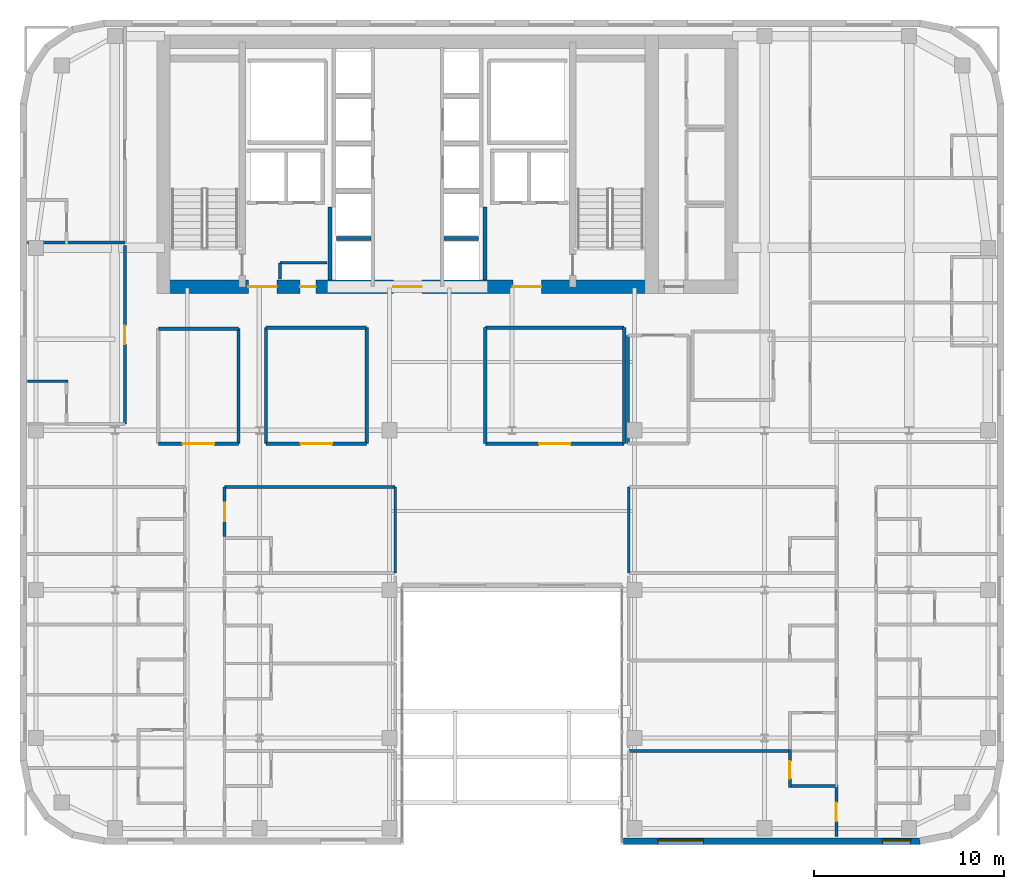
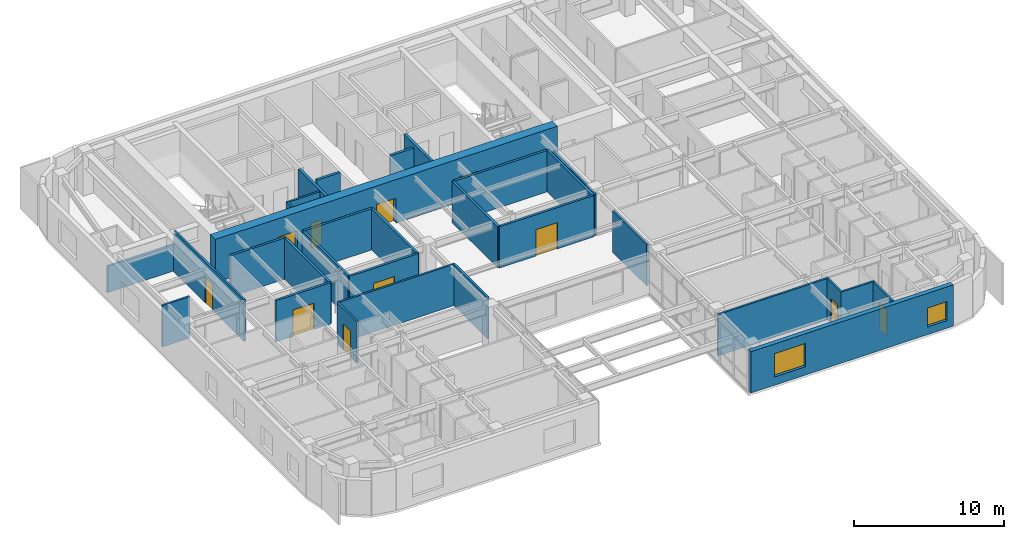
# One storey, part 9 of 15: 31 walls, 11 doors, 2 windows, 13 openings.
"""IFC4 building model written with IfcOpenShell, lengths in metres."""

import ifcopenshell
import ifcopenshell.guid

model = None  # the IFC model being written
_history = None  # IfcOwnerHistory: only IFC2X3 demands one
_inside = {}  # id of a spatial element -> (the spatial element, [elements in it])
_under = {}  # id of a project, library or spatial element -> (it, [spatial elements below it])
_declared = {}  # id of a project -> (the project, [libraries it declares])
_typed = {}  # id of a type object -> (the type object, [elements of that type])
_made_of = {}  # id of a material, layer set ... -> (it, [elements and type objects made of it])


def new_model(schema):
    """Start an empty IFC model of exactly this schema.

    Asked for "IFC4X3", IfcOpenShell would pick the latest addendum, in which some entities
    have other attributes; the version numbers below select the first issue.
    IFC2X3 requires an IfcOwnerHistory on every rooted entity: one is made here for all.
    """
    global model, _history
    if schema == "IFC4X3":
        model = ifcopenshell.file(schema_version=(4, 3, 0, 0))
    else:
        model = ifcopenshell.file(schema=schema)
    _inside.clear()
    _under.clear()
    _declared.clear()
    _typed.clear()
    _made_of.clear()
    _history = None
    if model.schema == "IFC2X3":
        org = make("IfcOrganization", Name="unknown")
        user = make(
            "IfcPersonAndOrganization",
            ThePerson=make("IfcPerson", FamilyName="unknown"),
            TheOrganization=org,
        )
        app = make(
            "IfcApplication",
            ApplicationDeveloper=org,
            Version="unknown",
            ApplicationFullName="unknown",
            ApplicationIdentifier="unknown",
        )
        _history = make(
            "IfcOwnerHistory",
            OwningUser=user,
            OwningApplication=app,
            ChangeAction="ADDED",
            CreationDate=0,
        )
    return model


def make(cls, **values):
    """One entity of the class cls with the attributes given. An attribute that is None is left unset."""
    return model.create_entity(
        cls, **{name: value for name, value in values.items() if value is not None}
    )


def rooted(cls, **values):
    """An entity with a GlobalId (a new one), such as an element, a storey or a relation."""
    return make(cls, GlobalId=ifcopenshell.guid.new(), OwnerHistory=_history, **values)


def si_unit(unit_type, name, prefix=None):
    """IfcSIUnit, for example si_unit("LENGTHUNIT", "METRE", prefix="MILLI")."""
    return make("IfcSIUnit", UnitType=unit_type, Prefix=prefix, Name=name)


def assignment(units):
    """IfcUnitAssignment: the units of a project."""
    return None if units is None else make("IfcUnitAssignment", Units=units)


def point(xyz):
    """IfcCartesianPoint."""
    return None if xyz is None else make("IfcCartesianPoint", Coordinates=xyz)


def direction(xyz):
    """IfcDirection."""
    return None if xyz is None else make("IfcDirection", DirectionRatios=xyz)


def frame(location, z_axis=None, x_axis=None):
    """IfcAxis2Placement3D, a coordinate frame: its origin and axes. An axis left out is left unset."""
    return make(
        "IfcAxis2Placement3D",
        Location=point(location),
        Axis=direction(z_axis),
        RefDirection=direction(x_axis),
    )


def frame_2d(location, x_axis=None):
    """IfcAxis2Placement2D, a coordinate frame in the plane: its origin and x axis."""
    return make(
        "IfcAxis2Placement2D", Location=point(location), RefDirection=direction(x_axis)
    )


def origin():
    """The frame at (0, 0, 0) with its axes left unset."""
    return frame((0.0, 0.0, 0.0))


def place(relative_to, where):
    """IfcLocalPlacement: puts the frame where relative to a parent placement (None: the world)."""
    return make(
        "IfcLocalPlacement", PlacementRelTo=relative_to, RelativePlacement=where
    )


def context(
    kind, dimensions, precision=None, world=None, true_north=None, identifier=None
):
    """IfcGeometricRepresentationContext, for example the 3D "Model" context."""
    return make(
        "IfcGeometricRepresentationContext",
        ContextIdentifier=identifier,
        ContextType=kind,
        CoordinateSpaceDimension=dimensions,
        Precision=precision,
        WorldCoordinateSystem=world,
        TrueNorth=true_north,
    )


def subcontext(parent, identifier, kind, view, scale=None):
    """IfcGeometricRepresentationSubContext, for example "Body" below "Model"."""
    return make(
        "IfcGeometricRepresentationSubContext",
        ContextIdentifier=identifier,
        ContextType=kind,
        ParentContext=parent,
        TargetScale=scale,
        TargetView=view,
    )


def project(units=None, contexts=None):
    """IfcProject with its units and contexts."""
    return rooted(
        "IfcProject",
        Name="project",
        RepresentationContexts=contexts,
        UnitsInContext=assignment(units),
    )


def spatial(cls, under=None, at=None, **own):
    """A site, building, storey or space (cls), placed at a placement, below another one or the project."""
    s = rooted(cls, ObjectPlacement=at, **own)
    if under is not None:
        _under.setdefault(under.id(), (under, []))[1].append(s)
    return s


def profile(cls, at=None, kind="AREA", **sizes):
    """A parametric profile (cls). Its sizes go by their IFC names, for example OverallWidth=200.0."""
    return make(cls, ProfileType=kind, Position=at, **sizes)


def rectangle(**sizes):
    """IfcRectangleProfileDef."""
    return profile("IfcRectangleProfileDef", **sizes)


def extrude(swept, where, along, depth):
    """IfcExtrudedAreaSolid: the profile swept, set in the frame where, extruded along a direction by depth."""
    return make(
        "IfcExtrudedAreaSolid",
        SweptArea=swept,
        Position=where,
        ExtrudedDirection=direction(along),
        Depth=depth,
    )


def shape(context_of_items, identifier, shape_type, items):
    """IfcShapeRepresentation: the items that make up one representation, for example the "Body"."""
    return make(
        "IfcShapeRepresentation",
        ContextOfItems=context_of_items,
        RepresentationIdentifier=identifier,
        RepresentationType=shape_type,
        Items=items,
    )


def source(mapping_origin, context_of_items, identifier, shape_type, items):
    """IfcRepresentationMap: a shape defined once, which mapped items show again and again."""
    return make(
        "IfcRepresentationMap",
        MappingOrigin=mapping_origin,
        MappedRepresentation=shape(context_of_items, identifier, shape_type, items),
    )


def transform(
    local_origin,
    x_axis=None,
    y_axis=None,
    z_axis=None,
    scale=None,
    scale2=None,
    scale3=None,
    uniform=True,
):
    """IfcCartesianTransformationOperator3D, or its non-uniform kind. x_axis, y_axis, z_axis: its Axis1, 2, 3."""
    if uniform:
        return make(
            "IfcCartesianTransformationOperator3D",
            Axis1=direction(x_axis),
            Axis2=direction(y_axis),
            LocalOrigin=point(local_origin),
            Scale=scale,
            Axis3=direction(z_axis),
        )
    return make(
        "IfcCartesianTransformationOperator3DnonUniform",
        Axis1=direction(x_axis),
        Axis2=direction(y_axis),
        LocalOrigin=point(local_origin),
        Scale=scale,
        Axis3=direction(z_axis),
        Scale2=scale2,
        Scale3=scale3,
    )


def mapped(mapping_source, mapping_target):
    """IfcMappedItem: shows the shape of a source again, moved by a transform."""
    return make(
        "IfcMappedItem", MappingSource=mapping_source, MappingTarget=mapping_target
    )


def material(Name=None, Category=None):
    """IfcMaterial."""
    return make("IfcMaterial", Name=Name, Category=Category)


def layer(
    of_material, thickness, ventilated=None, Name=None, Category=None, Priority=None
):
    """IfcMaterialLayer: one layer of a wall or slab, of a material (None: an air gap)."""
    return make(
        "IfcMaterialLayer",
        Material=of_material,
        LayerThickness=thickness,
        IsVentilated=ventilated,
        Name=Name,
        Category=Category,
        Priority=Priority,
    )


def layer_set(layers, Name=None):
    """IfcMaterialLayerSet."""
    return make("IfcMaterialLayerSet", MaterialLayers=layers, LayerSetName=Name)


def made_of(thing, what):
    """Note that an element or type object is made of a material, layer set ...; save() writes the relation."""
    if what is not None:
        _made_of.setdefault(what.id(), (what, []))[1].append(thing)
    return thing


def type_object(cls, material=None, **own):
    """A type object (cls), such as IfcWallType, which elements share."""
    return made_of(rooted(cls, **own), material)


def type_shapes(of_type, sources):
    """Give a type object the sources (RepresentationMaps) that its elements show as mapped items."""
    of_type.RepresentationMaps = sources


def element(
    cls,
    number,
    at=None,
    inside=None,
    cuts=None,
    type_object=None,
    material=None,
    context=None,
    identifier="Body",
    shape_type=None,
    held_by="IfcProductDefinitionShape",
    body=None,
    shapes=None,
    **own,
):
    """One element of the class cls, such as IfcWall. Its Tag is "e" and its number.

    at: its placement. inside: the storey or other place that contains it. cuts: it is an
    opening in that element (IfcRelVoidsElement). A single representation is given by context,
    identifier, shape_type and body (its items); several are given by shapes. held_by: the class
    of the entity that holds the representations. save() writes the other relations.
    """
    e = rooted(cls, Tag="e%d" % number, ObjectPlacement=at, **own)
    if body is not None:
        shapes = [shape(context, identifier, shape_type, body)]
    if shapes is not None:
        e.Representation = make(held_by, Representations=shapes)
    if inside is not None:
        _inside.setdefault(inside.id(), (inside, []))[1].append(e)
    if cuts is not None:
        rooted(
            "IfcRelVoidsElement", RelatingBuildingElement=cuts, RelatedOpeningElement=e
        )
    if type_object is not None:
        _typed.setdefault(type_object.id(), (type_object, []))[1].append(e)
    return made_of(e, material)


def fill(opening, filler):
    """IfcRelFillsElement: the door or window that sits in an opening."""
    return rooted(
        "IfcRelFillsElement",
        RelatingOpeningElement=opening,
        RelatedBuildingElement=filler,
    )


def aggregate(whole, parts):
    """IfcRelAggregates: a whole, such as a stair, and the parts it consists of."""
    return rooted("IfcRelAggregates", RelatingObject=whole, RelatedObjects=parts)


def save(model, path):
    """Write the relations noted so far, then the file.

    IfcRelAggregates (storeys below a building ...), IfcRelContainedInSpatialStructure (elements
    in a storey), IfcRelDefinesByType, IfcRelAssociatesMaterial and IfcRelDeclares: one each for
    every whole, place, type object, material and project.
    """
    for whole, parts in _under.values():
        aggregate(whole, parts)
    for where, things in _inside.values():
        rooted(
            "IfcRelContainedInSpatialStructure",
            RelatedElements=things,
            RelatingStructure=where,
        )
    for kind, things in _typed.values():
        rooted("IfcRelDefinesByType", RelatedObjects=things, RelatingType=kind)
    for what, things in _made_of.values():
        rooted("IfcRelAssociatesMaterial", RelatedObjects=things, RelatingMaterial=what)
    for by, libraries in _declared.values():
        rooted("IfcRelDeclares", RelatingContext=by, RelatedDefinitions=libraries)
    model.write(path)


model = new_model("IFC4")

# Units and contexts
model_context = context("Model", 3, precision=1e-05, world=origin(), true_north=direction((0.0, 1.0)))
body_context = subcontext(model_context, "Body", "Model", "MODEL_VIEW")
ifc_project = project(units=[si_unit("LENGTHUNIT", "METRE"), si_unit("AREAUNIT", "SQUARE_METRE"), si_unit("VOLUMEUNIT", "CUBIC_METRE"), si_unit("PLANEANGLEUNIT", "RADIAN"), si_unit("MASSUNIT", "GRAM", prefix="KILO")], contexts=[model_context])

# Site, building, storey
site_placement = place(None, origin())
site = spatial("IfcSite", under=ifc_project, at=site_placement, CompositionType="ELEMENT")
building_placement = place(site_placement, origin())
building = spatial("IfcBuilding", under=site, at=building_placement, Name="Tolvann Quenvar Hotel", CompositionType="ELEMENT")
storey_placement = place(building_placement, frame((0.0, 0.0, 164.800048828125)))
storey = spatial("IfcBuildingStorey", under=building, at=storey_placement, Name="L43", CompositionType="ELEMENT", Elevation=164.800048828125)

# Wall, openings, doors
ifc_material_1 = material(Name="Concrete S65 (65 MPa)", Category="concrete")
ifc_layer_1 = layer(ifc_material_1, 0.699951171875)
ifc_layer_set_1 = layer_set([ifc_layer_1], Name="Concrete S65 (65 MPa)")
wall_type_1 = type_object("IfcWallType", Name="WALL_CORE_700", PredefinedType="SHEAR", material=ifc_layer_set_1)
wall_1_placement = place(storey_placement, frame((9.800048828125, 31.949951171875, 0.0), z_axis=(0.0, 0.0, 1.0), x_axis=(1.0, 0.0, 0.0)))
wall_1 = element("IfcWall", 1, at=wall_1_placement, inside=storey, type_object=wall_type_1, Name="Rear Core S Shear Wall (L43)", PredefinedType="SHEAR", context=body_context, shape_type="SweptSolid", body=[
    extrude(rectangle(XDim=26.39990234375, YDim=0.699951171875, at=frame_2d((13.199951171875, 0.0))), origin(), (0.0, 0.0, 1.0), 3.550048828125),
])
opening_1_placement = place(wall_1_placement, frame((6.320068359375, 0.0, 0.0), z_axis=(0.0, 0.0, 1.0), x_axis=(-1.0, 0.0, 0.0)))
opening_1 = element("IfcOpeningElement", 2, at=opening_1_placement, cuts=wall_1, Name="Opening FD-60D", PredefinedType="OPENING", context=body_context, shape_type="SweptSolid", body=[
    extrude(rectangle(XDim=1.5, YDim=2.0400390625, at=frame_2d((0.75, 1.02001953125))), frame((0.0, 0.35986328125, 0.0), z_axis=(0.0, -1.0, 0.0), x_axis=(1.0, 0.0, 0.0)), (0.0, 0.0, 1.0), 0.719970703125),
])
opening_2_placement = place(wall_1_placement, frame((13.949951171875, 0.0, 0.0), z_axis=(0.0, 0.0, 1.0), x_axis=(-1.0, 0.0, 0.0)))
opening_2 = element("IfcOpeningElement", 3, at=opening_2_placement, cuts=wall_1, Name="Opening FD-60D", PredefinedType="OPENING", context=body_context, shape_type="SweptSolid", body=[
    extrude(rectangle(XDim=1.5, YDim=2.0400390625, at=frame_2d((0.75, 1.02001953125))), frame((0.0, 0.35986328125, 0.0), z_axis=(0.0, -1.0, 0.0), x_axis=(1.0, 0.0, 0.0)), (0.0, 0.0, 1.0), 0.719970703125),
])
opening_3_placement = place(wall_1_placement, frame((20.25, 0.0, 0.0), z_axis=(0.0, 0.0, 1.0), x_axis=(-1.0, 0.0, 0.0)))
opening_3 = element("IfcOpeningElement", 4, at=opening_3_placement, cuts=wall_1, Name="Opening FD-60D", PredefinedType="OPENING", context=body_context, shape_type="SweptSolid", body=[
    extrude(rectangle(XDim=1.5, YDim=2.0400390625, at=frame_2d((0.75, 1.02001953125))), frame((0.0, 0.35986328125, 0.0), z_axis=(0.0, -1.0, 0.0), x_axis=(1.0, 0.0, 0.0)), (0.0, 0.0, 1.0), 0.719970703125),
])
opening_4_placement = place(wall_1_placement, frame((8.3701171875, 0.0, 0.0), z_axis=(0.0, 0.0, 1.0), x_axis=(-1.0, 0.0, 0.0)))
opening_4 = element("IfcOpeningElement", 5, at=opening_4_placement, cuts=wall_1, Name="Opening HD-02", PredefinedType="OPENING", context=body_context, shape_type="SweptSolid", body=[
    extrude(rectangle(XDim=0.820068359375, YDim=2.010009765625, at=frame_2d((0.41015625, 1.0048828125))), frame((0.0, 0.35986328125, 0.0), z_axis=(0.0, -1.0, 0.0), x_axis=(1.0, 0.0, 0.0)), (0.0, 0.0, 1.0), 0.719970703125),
])
ifc_material_2 = material(Name="Solid-core American oak acoustic fire door leaf in steel frame", Category="steel")
door_type_1 = type_object("IfcDoorType", Name="DOOR_FIRE_LOBBY_1500", OperationType="NOTDEFINED", PredefinedType="DOOR", material=ifc_material_2)
shared_shape_1 = source(origin(), body_context, "Body", "SweptSolid", [
    extrude(rectangle(XDim=1.5, YDim=2.0400390625, at=frame_2d((0.75, 1.02001953125))), frame((0.0, 0.02490234375, 0.0), z_axis=(0.0, -1.0, 0.0), x_axis=(1.0, 0.0, 0.0)), (0.0, 0.0, 1.0), 0.050048828125),
])
type_shapes(door_type_1, [shared_shape_1])
door_1_placement = place(opening_1_placement, origin())
door_1 = element("IfcDoor", 6, at=door_1_placement, inside=storey, type_object=door_type_1, Name="Core Lobby Fire Door FFW (L43)", OperationType="DOUBLE_DOOR_SINGLE_SWING", OverallHeight=2.0400390625, OverallWidth=1.5, PredefinedType="DOOR", context=body_context, shape_type="MappedRepresentation", body=[
    mapped(shared_shape_1, transform((0.0, 0.0, 0.0), x_axis=(1.0, 0.0, 0.0), y_axis=(0.0, 1.0, 0.0), z_axis=(0.0, 0.0, 1.0), scale=1.0)),
])
fill(opening_1, door_1)
door_2_placement = place(opening_2_placement, origin())
door_2 = element("IfcDoor", 7, at=door_2_placement, inside=storey, type_object=door_type_1, Name="Core Lobby Fire Door CLOB (L43)", OperationType="DOUBLE_DOOR_SINGLE_SWING", OverallHeight=2.0400390625, OverallWidth=1.5, PredefinedType="DOOR", context=body_context, shape_type="MappedRepresentation", body=[
    mapped(shared_shape_1, transform((0.0, 0.0, 0.0), x_axis=(1.0, 0.0, 0.0), y_axis=(0.0, 1.0, 0.0), z_axis=(0.0, 0.0, 1.0), scale=1.0)),
])
fill(opening_2, door_2)
door_3_placement = place(opening_3_placement, origin())
door_3 = element("IfcDoor", 8, at=door_3_placement, inside=storey, type_object=door_type_1, Name="Core Lobby Fire Door FFE (L43)", OperationType="DOUBLE_DOOR_SINGLE_SWING", OverallHeight=2.0400390625, OverallWidth=1.5, PredefinedType="DOOR", context=body_context, shape_type="MappedRepresentation", body=[
    mapped(shared_shape_1, transform((0.0, 0.0, 0.0), x_axis=(1.0, 0.0, 0.0), y_axis=(0.0, 1.0, 0.0), z_axis=(0.0, 0.0, 1.0), scale=1.0)),
])
fill(opening_3, door_3)
ifc_material_3 = material(Name="Pressed galvanised steel fire-rated door set", Category="steel")
door_type_2 = type_object("IfcDoorType", Name="DOOR_STORE_820", OperationType="NOTDEFINED", PredefinedType="DOOR", material=ifc_material_3)
shared_shape_2 = source(origin(), body_context, "Body", "SweptSolid", [
    extrude(rectangle(XDim=0.820068359375, YDim=2.010009765625, at=frame_2d((0.41015625, 1.0048828125))), frame((0.0, 0.02490234375, 0.0), z_axis=(0.0, -1.0, 0.0), x_axis=(1.0, 0.0, 0.0)), (0.0, 0.0, 1.0), 0.050048828125),
])
type_shapes(door_type_2, [shared_shape_2])
door_4_placement = place(opening_4_placement, origin())
door_4 = element("IfcDoor", 9, at=door_4_placement, inside=storey, type_object=door_type_2, Name="Core Linen Store Fire Door (L43)", OperationType="SINGLE_SWING_LEFT", OverallHeight=2.010009765625, OverallWidth=0.820068359375, PredefinedType="DOOR", context=body_context, shape_type="MappedRepresentation", body=[
    mapped(shared_shape_2, transform((0.0, 0.0, 0.0), x_axis=(1.0, 0.0, 0.0), y_axis=(0.0, 1.0, 0.0), z_axis=(0.0, 0.0, 1.0), scale=1.0)),
])
fill(opening_4, door_4)

# Wall, openings, windows
ifc_material_4 = material(Name="Kiln-fired red and buff architectural clay brickwork and terracotta masonry", Category="masonry")
ifc_layer_2 = layer(ifc_material_4, 0.35009765625)
ifc_layer_set_2 = layer_set([ifc_layer_2], Name="Kiln-fired red and buff architectural clay brickwork and terracotta masonry")
wall_type_2 = type_object("IfcWallType", Name="WALL_EXT_BRICK_350", PredefinedType="SOLIDWALL", material=ifc_layer_set_2)
wall_2_placement = place(storey_placement, frame((34.375, 2.77490234375, 0.0), z_axis=(0.0, 0.0, 1.0), x_axis=(1.0, 0.0, 0.0)))
wall_2 = element("IfcWall", 10, at=wall_2_placement, inside=storey, type_object=wall_type_2, Name="Exterior Chicago Brick Wall L43-E08", PredefinedType="SOLIDWALL", context=body_context, shape_type="SweptSolid", body=[
    extrude(rectangle(XDim=15.60791015625, YDim=0.35009765625, at=frame_2d((7.803955078125, 0.0))), origin(), (0.0, 0.0, 1.0), 3.369873046875),
])
opening_5_placement = place(wall_2_placement, frame((1.801025390625, 0.0, 0.679931640625)))
opening_5 = element("IfcOpeningElement", 11, at=opening_5_placement, cuts=wall_2, Name="Opening W-01", PredefinedType="OPENING", context=body_context, shape_type="SweptSolid", body=[
    extrude(rectangle(XDim=2.39990234375, YDim=1.89990234375, at=frame_2d((1.199951171875, 0.949951171875))), frame((0.0, 0.18505859375, 0.0), z_axis=(0.0, -1.0, 0.0), x_axis=(1.0, 0.0, 0.0)), (0.0, 0.0, 1.0), 0.3701171875),
])
opening_6_placement = place(wall_2_placement, frame((13.615966796875, 0.0, 0.6201171875)))
opening_6 = element("IfcOpeningElement", 12, at=opening_6_placement, cuts=wall_2, Name="Opening W-08", PredefinedType="OPENING", context=body_context, shape_type="SweptSolid", body=[
    extrude(rectangle(XDim=1.5, YDim=1.550048828125, at=frame_2d((0.75, 0.77490234375))), frame((0.0, 0.18505859375, 0.0), z_axis=(0.0, -1.0, 0.0), x_axis=(1.0, 0.0, 0.0)), (0.0, 0.0, 1.0), 0.3701171875),
])
ifc_material_5 = material(Name="Thermally broken bronze-anodised aluminium frame with double low-E glazing", Category="aluminium")
window_type_1 = type_object("IfcWindowType", Name="WIN_COR_1500x2050", PartitioningType="SINGLE_PANEL", PredefinedType="WINDOW", material=ifc_material_5)
shared_shape_3 = source(origin(), body_context, "Body", "SweptSolid", [
    extrude(rectangle(XDim=1.5, YDim=1.550048828125, at=frame_2d((0.75, 0.77490234375))), frame((0.0, 0.090087890625, 0.0), z_axis=(0.0, -1.0, 0.0), x_axis=(1.0, 0.0, 0.0)), (0.0, 0.0, 1.0), 0.06005859375),
])
type_shapes(window_type_1, [shared_shape_3])
window_1_placement = place(opening_6_placement, origin())
window_1 = element("IfcWindow", 13, at=window_1_placement, inside=storey, type_object=window_type_1, Name="Chicago Window W-08 (EW-L43-E08-WD02)", OverallHeight=1.550048828125, OverallWidth=1.5, PartitioningType="SINGLE_PANEL", PredefinedType="WINDOW", context=body_context, shape_type="MappedRepresentation", body=[
    mapped(shared_shape_3, transform((0.0, 0.0, 0.0), x_axis=(1.0, 0.0, 0.0), y_axis=(0.0, 1.0, 0.0), z_axis=(0.0, 0.0, 1.0), scale=1.0)),
])
fill(opening_6, window_1)
window_type_2 = type_object("IfcWindowType", Name="WIN_CHI_2400x2050", PartitioningType="TRIPLE_PANEL_HORIZONTAL", PredefinedType="WINDOW", material=ifc_material_5)
shared_shape_4 = source(origin(), body_context, "Body", "SweptSolid", [
    extrude(rectangle(XDim=2.39990234375, YDim=1.89990234375, at=frame_2d((1.199951171875, 0.949951171875))), frame((0.0, 0.090087890625, 0.0), z_axis=(0.0, -1.0, 0.0), x_axis=(1.0, 0.0, 0.0)), (0.0, 0.0, 1.0), 0.06005859375),
])
type_shapes(window_type_2, [shared_shape_4])
window_2_placement = place(opening_5_placement, origin())
window_2 = element("IfcWindow", 14, at=window_2_placement, inside=storey, type_object=window_type_2, Name="Chicago Window W-01 (EW-L43-E08-W01)", OverallHeight=1.89990234375, OverallWidth=2.39990234375, PartitioningType="TRIPLE_PANEL_HORIZONTAL", PredefinedType="WINDOW", context=body_context, shape_type="MappedRepresentation", body=[
    mapped(shared_shape_4, transform((0.0, 0.0, 0.0), x_axis=(1.0, 0.0, 0.0), y_axis=(0.0, 1.0, 0.0), z_axis=(0.0, 0.0, 1.0), scale=1.0)),
])
fill(opening_5, window_2)

# Wall, opening, door
ifc_material_6 = material(Name="Acoustic twin-stud fire-rated gypsum plasterboard partition")
ifc_layer_3 = layer(ifc_material_6, 0.179931640625)
ifc_layer_set_3 = layer_set([ifc_layer_3], Name="Acoustic twin-stud fire-rated gypsum plasterboard partition")
wall_type_3 = type_object("IfcWallType", Name="WALL_PART_ACOUSTIC_180", PredefinedType="PARTITIONING", material=ifc_layer_set_3)
wall_3_placement = place(storey_placement, frame((9.8798828125, 23.699951171875, 0.0), z_axis=(0.0, 0.0, 1.0), x_axis=(1.0, 0.0, 0.0)))
wall_3 = element("IfcWall", 15, at=wall_3_placement, inside=storey, type_object=wall_type_3, Name="Interior Partition PT-SPC-L43-MSP-W-S", PredefinedType="PARTITIONING", context=body_context, shape_type="SweptSolid", body=[
    extrude(rectangle(XDim=4.22021484375, YDim=0.179931640625, at=frame_2d((2.110107421875, 0.0))), origin(), (0.0, 0.0, 1.0), 3.369873046875),
])
opening_7_placement = place(wall_3_placement, frame((1.284912109375, 0.0, 0.0)))
opening_7 = element("IfcOpeningElement", 16, at=opening_7_placement, cuts=wall_3, Name="Opening AD-01", PredefinedType="OPENING", context=body_context, shape_type="SweptSolid", body=[
    extrude(rectangle(XDim=1.64990234375, YDim=2.14990234375, at=frame_2d((0.824951171875, 1.074951171875))), frame((0.0, 0.10009765625, 0.0), z_axis=(0.0, -1.0, 0.0), x_axis=(1.0, 0.0, 0.0)), (0.0, 0.0, 1.0), 0.199951171875),
])
door_type_3 = type_object("IfcDoorType", Name="DOOR_SALON_1650", OperationType="NOTDEFINED", PredefinedType="DOOR", material=ifc_material_2)
shared_shape_5 = source(origin(), body_context, "Body", "SweptSolid", [
    extrude(rectangle(XDim=1.64990234375, YDim=2.14990234375, at=frame_2d((0.824951171875, 1.074951171875))), frame((0.0, 0.02490234375, 0.0), z_axis=(0.0, -1.0, 0.0), x_axis=(1.0, 0.0, 0.0)), (0.0, 0.0, 1.0), 0.050048828125),
])
type_shapes(door_type_3, [shared_shape_5])
door_5_placement = place(opening_7_placement, origin())
door_5 = element("IfcDoor", 17, at=door_5_placement, inside=storey, type_object=door_type_3, Name="Interior Door DOOR-SPC-L43-MSP-W", OperationType="DOUBLE_DOOR_SINGLE_SWING", OverallHeight=2.14990234375, OverallWidth=1.64990234375, PredefinedType="DOOR", context=body_context, shape_type="MappedRepresentation", body=[
    mapped(shared_shape_5, transform((0.0, 0.0, 0.0), x_axis=(1.0, 0.0, 0.0), y_axis=(0.0, 1.0, 0.0), z_axis=(0.0, 0.0, 1.0), scale=1.0)),
])
fill(opening_7, door_5)

# Walls
wall_4_placement = place(storey_placement, frame((9.8798828125, 29.75, 0.0), z_axis=(0.0, 0.0, 1.0), x_axis=(1.0, 0.0, 0.0)))
element("IfcWall", 18, at=wall_4_placement, inside=storey, type_object=wall_type_3, Name="Interior Partition PT-SPC-L43-MSP-W-N", PredefinedType="PARTITIONING", context=body_context, shape_type="SweptSolid", body=[
    extrude(rectangle(XDim=4.22021484375, YDim=0.179931640625, at=frame_2d((2.110107421875, 0.0))), origin(), (0.0, 0.0, 1.0), 3.369873046875),
])
wall_5_placement = place(storey_placement, frame((14.10009765625, 23.699951171875, 0.0), z_axis=(0.0, 0.0, 1.0), x_axis=(0.0, 1.0, 0.0)))
element("IfcWall", 19, at=wall_5_placement, inside=storey, type_object=wall_type_3, Name="Interior Partition PT-SPC-L43-MSP-W-E", PredefinedType="PARTITIONING", context=body_context, shape_type="SweptSolid", body=[
    extrude(rectangle(XDim=6.050048828125, YDim=0.179931640625, at=frame_2d((3.02490234375, 0.0))), origin(), (0.0, 0.0, 1.0), 3.369873046875),
])

# Wall, opening, door
wall_6_placement = place(storey_placement, frame((27.10009765625, 23.699951171875, 0.0), z_axis=(0.0, 0.0, 1.0), x_axis=(1.0, 0.0, 0.0)))
wall_6 = element("IfcWall", 20, at=wall_6_placement, inside=storey, type_object=wall_type_3, Name="Interior Partition PT-SPC-L43-MSP-C-S", PredefinedType="PARTITIONING", context=body_context, shape_type="SweptSolid", body=[
    extrude(rectangle(XDim=7.2998046875, YDim=0.179931640625, at=frame_2d((3.64990234375, 0.0))), origin(), (0.0, 0.0, 1.0), 3.369873046875),
])
opening_8_placement = place(wall_6_placement, frame((2.824951171875, 0.0, 0.0)))
opening_8 = element("IfcOpeningElement", 21, at=opening_8_placement, cuts=wall_6, Name="Opening AD-01", PredefinedType="OPENING", context=body_context, shape_type="SweptSolid", body=[
    extrude(rectangle(XDim=1.64990234375, YDim=2.14990234375, at=frame_2d((0.824951171875, 1.074951171875))), frame((0.0, 0.10009765625, 0.0), z_axis=(0.0, -1.0, 0.0), x_axis=(1.0, 0.0, 0.0)), (0.0, 0.0, 1.0), 0.199951171875),
])
door_6_placement = place(opening_8_placement, origin())
door_6 = element("IfcDoor", 22, at=door_6_placement, inside=storey, type_object=door_type_3, Name="Interior Door DOOR-SPC-L43-MSP-C", OperationType="DOUBLE_DOOR_SINGLE_SWING", OverallHeight=2.14990234375, OverallWidth=1.64990234375, PredefinedType="DOOR", context=body_context, shape_type="MappedRepresentation", body=[
    mapped(shared_shape_5, transform((0.0, 0.0, 0.0), x_axis=(1.0, 0.0, 0.0), y_axis=(0.0, 1.0, 0.0), z_axis=(0.0, 0.0, 1.0), scale=1.0)),
])
fill(opening_8, door_6)

# Walls
wall_7_placement = place(storey_placement, frame((27.10009765625, 29.800048828125, 0.0), z_axis=(0.0, 0.0, 1.0), x_axis=(1.0, 0.0, 0.0)))
element("IfcWall", 23, at=wall_7_placement, inside=storey, type_object=wall_type_3, Name="Interior Partition PT-SPC-L43-MSP-C-N", PredefinedType="PARTITIONING", context=body_context, shape_type="SweptSolid", body=[
    extrude(rectangle(XDim=7.2998046875, YDim=0.179931640625, at=frame_2d((3.64990234375, 0.0))), origin(), (0.0, 0.0, 1.0), 3.369873046875),
])
for number, where, z_axis, x_axis, name in (
    (24, (27.10009765625, 23.699951171875, 0.0), (0.0, 0.0, 1.0), (0.0, 1.0, 0.0), "Interior Partition PT-SPC-L43-MSP-C-W"),
    (25, (34.39990234375, 23.699951171875, 0.0), (0.0, 0.0, 1.0), (0.0, 1.0, 0.0), "Interior Partition PT-SPC-L43-MSP-C-E"),
):
    element("IfcWall", number, at=place(storey_placement, frame(where, z_axis=z_axis, x_axis=x_axis)), inside=storey, type_object=wall_type_3, Name=name, PredefinedType="PARTITIONING", context=body_context, shape_type="SweptSolid", body=[
        extrude(rectangle(XDim=6.10009765625, YDim=0.179931640625, at=frame_2d((3.050048828125, 0.0))), origin(), (0.0, 0.0, 1.0), 3.369873046875),
    ])

# Wall, opening, door
wall_8_placement = place(storey_placement, frame((15.550048828125, 23.699951171875, 0.0), z_axis=(0.0, 0.0, 1.0), x_axis=(1.0, 0.0, 0.0)))
wall_8 = element("IfcWall", 26, at=wall_8_placement, inside=storey, type_object=wall_type_3, Name="Interior Partition PT-SPC-L43-MSP-N-S", PredefinedType="PARTITIONING", context=body_context, shape_type="SweptSolid", body=[
    extrude(rectangle(XDim=5.300048828125, YDim=0.179931640625, at=frame_2d((2.64990234375, 0.0))), origin(), (0.0, 0.0, 1.0), 3.369873046875),
])
opening_9_placement = place(wall_8_placement, frame((1.824951171875, 0.0, 0.0)))
opening_9 = element("IfcOpeningElement", 27, at=opening_9_placement, cuts=wall_8, Name="Opening AD-01", PredefinedType="OPENING", context=body_context, shape_type="SweptSolid", body=[
    extrude(rectangle(XDim=1.64990234375, YDim=2.14990234375, at=frame_2d((0.824951171875, 1.074951171875))), frame((0.0, 0.10009765625, 0.0), z_axis=(0.0, -1.0, 0.0), x_axis=(1.0, 0.0, 0.0)), (0.0, 0.0, 1.0), 0.199951171875),
])
door_7_placement = place(opening_9_placement, origin())
door_7 = element("IfcDoor", 28, at=door_7_placement, inside=storey, type_object=door_type_3, Name="Interior Door DOOR-SPC-L43-MSP-N", OperationType="DOUBLE_DOOR_SINGLE_SWING", OverallHeight=2.14990234375, OverallWidth=1.64990234375, PredefinedType="DOOR", context=body_context, shape_type="MappedRepresentation", body=[
    mapped(shared_shape_5, transform((0.0, 0.0, 0.0), x_axis=(1.0, 0.0, 0.0), y_axis=(0.0, 1.0, 0.0), z_axis=(0.0, 0.0, 1.0), scale=1.0)),
])
fill(opening_9, door_7)

# Walls
wall_9_placement = place(storey_placement, frame((15.550048828125, 29.800048828125, 0.0), z_axis=(0.0, 0.0, 1.0), x_axis=(1.0, 0.0, 0.0)))
element("IfcWall", 29, at=wall_9_placement, inside=storey, type_object=wall_type_3, Name="Interior Partition PT-SPC-L43-MSP-N-N", PredefinedType="PARTITIONING", context=body_context, shape_type="SweptSolid", body=[
    extrude(rectangle(XDim=5.300048828125, YDim=0.179931640625, at=frame_2d((2.64990234375, 0.0))), origin(), (0.0, 0.0, 1.0), 3.369873046875),
])
for number, where, z_axis, x_axis, name in (
    (30, (15.550048828125, 23.699951171875, 0.0), (0.0, 0.0, 1.0), (0.0, 1.0, 0.0), "Interior Partition PT-SPC-L43-MSP-N-W"),
    (31, (20.85009765625, 23.699951171875, 0.0), (0.0, 0.0, 1.0), (0.0, 1.0, 0.0), "Interior Partition PT-SPC-L43-MSP-N-E"),
):
    element("IfcWall", number, at=place(storey_placement, frame(where, z_axis=z_axis, x_axis=x_axis)), inside=storey, type_object=wall_type_3, Name=name, PredefinedType="PARTITIONING", context=body_context, shape_type="SweptSolid", body=[
        extrude(rectangle(XDim=6.10009765625, YDim=0.179931640625, at=frame_2d((3.050048828125, 0.0))), origin(), (0.0, 0.0, 1.0), 3.369873046875),
    ])

# Wall, opening, door
ifc_layer_4 = layer(ifc_material_6, 0.14990234375)
ifc_layer_set_4 = layer_set([ifc_layer_4], Name="Acoustic twin-stud fire-rated gypsum plasterboard partition")
wall_type_4 = type_object("IfcWallType", Name="WALL_PART_SUITE_150", PredefinedType="PARTITIONING", material=ifc_layer_set_4)
wall_10_placement = place(storey_placement, frame((43.1298828125, 5.60009765625, 0.0), z_axis=(0.0, 0.0, 1.0), x_axis=(0.0, 1.0, 0.0)))
wall_10 = element("IfcWall", 32, at=wall_10_placement, inside=storey, type_object=wall_type_4, Name="Interior Partition PT-SPC-L43-ENS-EI01-ENT", PredefinedType="PARTITIONING", context=body_context, shape_type="SweptSolid", body=[
    extrude(rectangle(XDim=1.989990234375, YDim=0.14990234375, at=frame_2d((0.9951171875, 0.0))), origin(), (0.0, 0.0, 1.0), 3.369873046875),
])
opening_10_placement = place(wall_10_placement, frame((0.465087890625, 0.0, 0.0)))
opening_10 = element("IfcOpeningElement", 33, at=opening_10_placement, cuts=wall_10, Name="Opening WD-01", PredefinedType="OPENING", context=body_context, shape_type="SweptSolid", body=[
    extrude(rectangle(XDim=0.919921875, YDim=2.010009765625, at=frame_2d((0.4599609375, 1.0048828125))), frame((0.0, 0.0849609375, 0.0), z_axis=(0.0, -1.0, 0.0), x_axis=(1.0, 0.0, 0.0)), (0.0, 0.0, 1.0), 0.169921875),
])
door_type_4 = type_object("IfcDoorType", Name="DOOR_WC_920", OperationType="NOTDEFINED", PredefinedType="DOOR", material=ifc_material_2)
shared_shape_6 = source(origin(), body_context, "Body", "SweptSolid", [
    extrude(rectangle(XDim=0.919921875, YDim=2.010009765625, at=frame_2d((0.4599609375, 1.0048828125))), frame((0.0, 0.02490234375, 0.0), z_axis=(0.0, -1.0, 0.0), x_axis=(1.0, 0.0, 0.0)), (0.0, 0.0, 1.0), 0.050048828125),
])
type_shapes(door_type_4, [shared_shape_6])
door_8_placement = place(opening_10_placement, origin())
door_8 = element("IfcDoor", 34, at=door_8_placement, inside=storey, type_object=door_type_4, Name="Interior Door DOOR-SPC-L43-ENS-EI01", OperationType="SINGLE_SWING_RIGHT", OverallHeight=2.010009765625, OverallWidth=0.919921875, PredefinedType="DOOR", context=body_context, shape_type="MappedRepresentation", body=[
    mapped(shared_shape_6, transform((0.0, 0.0, 0.0), x_axis=(1.0, 0.0, 0.0), y_axis=(0.0, 1.0, 0.0), z_axis=(0.0, 0.0, 1.0), scale=1.0)),
])
fill(opening_10, door_8)

# Walls
wall_11_placement = place(storey_placement, frame((43.06005859375, 5.669921875, 0.0), z_axis=(0.0, 0.0, 1.0), x_axis=(1.0, 0.0, 0.0)))
element("IfcWall", 35, at=wall_11_placement, inside=storey, type_object=wall_type_4, Name="Interior Partition PT-SPC-L43-ENS-EI01-S", PredefinedType="PARTITIONING", context=body_context, shape_type="SweptSolid", body=[
    extrude(rectangle(XDim=2.58984375, YDim=0.14990234375, at=frame_2d((1.294921875, 0.0))), origin(), (0.0, 0.0, 1.0), 3.369873046875),
])
wall_12_placement = place(storey_placement, frame((3.0048828125, 26.97998046875, 0.0), z_axis=(0.0, 0.0, 1.0), x_axis=(1.0, 0.0, 0.0)))
element("IfcWall", 36, at=wall_12_placement, inside=storey, type_object=wall_type_4, Name="Interior Partition PT-SPC-L43-ENS-NW01-N", PredefinedType="PARTITIONING", context=body_context, shape_type="SweptSolid", body=[
    extrude(rectangle(XDim=2.115234375, YDim=0.14990234375, at=frame_2d((1.0576171875, 0.0))), origin(), (0.0, 0.0, 1.0), 3.369873046875),
])
wall_13_placement = place(storey_placement, frame((3.0048828125, 34.280029296875, 0.0), z_axis=(0.0, 0.0, 1.0), x_axis=(1.0, 0.0, 0.0)))
element("IfcWall", 37, at=wall_13_placement, inside=storey, type_object=wall_type_4, Name="Interior Partition PT-SPC-L43-ENS-NW02-S", PredefinedType="PARTITIONING", context=body_context, shape_type="SweptSolid", body=[
    extrude(rectangle(XDim=5.115234375, YDim=0.14990234375, at=frame_2d((2.5576171875, 0.0))), origin(), (0.0, 0.0, 1.0), 2.159912109375),
])
wall_14_placement = place(storey_placement, frame((16.280029296875, 33.219970703125, 0.0), z_axis=(0.0, 0.0, 1.0), x_axis=(1.0, 0.0, 0.0)))
element("IfcWall", 38, at=wall_14_placement, inside=storey, type_object=wall_type_4, Name="Interior Partition PT-SPC-L43-CSW-1-N", PredefinedType="PARTITIONING", context=body_context, shape_type="SweptSolid", body=[
    extrude(rectangle(XDim=2.48486328125, YDim=0.14990234375, at=frame_2d((1.242431640625, 0.0))), origin(), (0.0, 0.0, 1.0), 3.369873046875),
])
wall_15_placement = place(storey_placement, frame((16.280029296875, 32.35498046875, 0.0), z_axis=(0.0, 0.0, 1.0), x_axis=(0.0, 1.0, 0.0)))
element("IfcWall", 39, at=wall_15_placement, inside=storey, type_object=wall_type_4, Name="Interior Partition PT-SPC-L43-CSW-1-W", PredefinedType="PARTITIONING", context=body_context, shape_type="SweptSolid", body=[
    extrude(rectangle(XDim=0.864990234375, YDim=0.14990234375, at=frame_2d((0.4326171875, 0.0))), origin(), (0.0, 0.0, 1.0), 3.369873046875),
])

# Wall, opening, door
wall_16_placement = place(storey_placement, frame((13.3701171875, 18.81005859375, 0.0), z_axis=(0.0, 0.0, 1.0), x_axis=(0.0, 1.0, 0.0)))
wall_16 = element("IfcWall", 40, at=wall_16_placement, inside=storey, type_object=wall_type_4, Name="Interior Partition PT-SPC-L43-RM-WI04-ENT", PredefinedType="PARTITIONING", context=body_context, shape_type="SweptSolid", body=[
    extrude(rectangle(XDim=2.60986328125, YDim=0.14990234375, at=frame_2d((1.304931640625, 0.0))), origin(), (0.0, 0.0, 1.0), 3.369873046875),
])
opening_11_placement = place(wall_16_placement, frame((0.794921875, 0.0, 0.0)))
opening_11 = element("IfcOpeningElement", 41, at=opening_11_placement, cuts=wall_16, Name="Opening SD-01", PredefinedType="OPENING", context=body_context, shape_type="SweptSolid", body=[
    extrude(rectangle(XDim=0.97998046875, YDim=2.1201171875, at=frame_2d((0.489990234375, 1.06005859375))), frame((0.0, 0.0849609375, 0.0), z_axis=(0.0, -1.0, 0.0), x_axis=(1.0, 0.0, 0.0)), (0.0, 0.0, 1.0), 0.169921875),
])
door_type_5 = type_object("IfcDoorType", Name="DOOR_SUITE_980", OperationType="NOTDEFINED", PredefinedType="DOOR", material=ifc_material_2)
shared_shape_7 = source(origin(), body_context, "Body", "SweptSolid", [
    extrude(rectangle(XDim=0.97998046875, YDim=2.1201171875, at=frame_2d((0.489990234375, 1.06005859375))), frame((0.0, 0.02490234375, 0.0), z_axis=(0.0, -1.0, 0.0), x_axis=(1.0, 0.0, 0.0)), (0.0, 0.0, 1.0), 0.050048828125),
])
type_shapes(door_type_5, [shared_shape_7])
door_9_placement = place(opening_11_placement, origin())
door_9 = element("IfcDoor", 42, at=door_9_placement, inside=storey, type_object=door_type_5, Name="Interior Door DOOR-SPC-L43-RM-WI04", OperationType="SINGLE_SWING_LEFT", OverallHeight=2.1201171875, OverallWidth=0.97998046875, PredefinedType="DOOR", context=body_context, shape_type="MappedRepresentation", body=[
    mapped(shared_shape_7, transform((0.0, 0.0, 0.0), x_axis=(1.0, 0.0, 0.0), y_axis=(0.0, 1.0, 0.0), z_axis=(0.0, 0.0, 1.0), scale=1.0)),
])
fill(opening_11, door_9)

# Walls
wall_17_placement = place(storey_placement, frame((22.35009765625, 16.8798828125, 0.0), z_axis=(0.0, 0.0, 1.0), x_axis=(0.0, 1.0, 0.0)))
element("IfcWall", 43, at=wall_17_placement, inside=storey, type_object=wall_type_4, Name="Interior Partition PT-SPC-L43-RM-WI04-E4", PredefinedType="PARTITIONING", context=body_context, shape_type="SweptSolid", body=[
    extrude(rectangle(XDim=4.5400390625, YDim=0.14990234375, at=frame_2d((2.27001953125, 0.0))), origin(), (0.0, 0.0, 1.0), 3.369873046875),
])
wall_18_placement = place(storey_placement, frame((13.3701171875, 21.419921875, 0.0), z_axis=(0.0, 0.0, 1.0), x_axis=(1.0, 0.0, 0.0)))
element("IfcWall", 44, at=wall_18_placement, inside=storey, type_object=wall_type_4, Name="Interior Partition PT-SPC-L43-RM-WI04-E5", PredefinedType="PARTITIONING", context=body_context, shape_type="SweptSolid", body=[
    extrude(rectangle(XDim=8.97998046875, YDim=0.14990234375, at=frame_2d((4.489990234375, 0.0))), origin(), (0.0, 0.0, 1.0), 3.369873046875),
])

# Wall, opening, door
wall_19_placement = place(storey_placement, frame((45.580078125, 3.0048828125, 0.0), z_axis=(0.0, 0.0, 1.0), x_axis=(0.0, 1.0, 0.0)))
wall_19 = element("IfcWall", 45, at=wall_19_placement, inside=storey, type_object=wall_type_4, Name="Interior Partition PT-SPC-L43-RM-EI01-ENT", PredefinedType="PARTITIONING", context=body_context, shape_type="SweptSolid", body=[
    extrude(rectangle(XDim=2.585205078125, YDim=0.14990234375, at=frame_2d((1.29248046875, 0.0))), origin(), (0.0, 0.0, 1.0), 3.369873046875),
])
opening_12_placement = place(wall_19_placement, frame((0.81005859375, 0.0, 0.0)))
opening_12 = element("IfcOpeningElement", 46, at=opening_12_placement, cuts=wall_19, Name="Opening SD-01", PredefinedType="OPENING", context=body_context, shape_type="SweptSolid", body=[
    extrude(rectangle(XDim=0.97998046875, YDim=2.1201171875, at=frame_2d((0.489990234375, 1.06005859375))), frame((0.0, 0.0849609375, 0.0), z_axis=(0.0, -1.0, 0.0), x_axis=(1.0, 0.0, 0.0)), (0.0, 0.0, 1.0), 0.169921875),
])
door_10_placement = place(opening_12_placement, origin())
door_10 = element("IfcDoor", 47, at=door_10_placement, inside=storey, type_object=door_type_5, Name="Interior Door DOOR-SPC-L43-RM-EI01", OperationType="SINGLE_SWING_RIGHT", OverallHeight=2.1201171875, OverallWidth=0.97998046875, PredefinedType="DOOR", context=body_context, shape_type="MappedRepresentation", body=[
    mapped(shared_shape_7, transform((0.0, 0.0, 0.0), x_axis=(1.0, 0.0, 0.0), y_axis=(0.0, 1.0, 0.0), z_axis=(0.0, 0.0, 1.0), scale=1.0)),
])
fill(opening_12, door_10)

# Walls
wall_20_placement = place(storey_placement, frame((34.64990234375, 7.52001953125, 0.0), z_axis=(0.0, 0.0, 1.0), x_axis=(1.0, 0.0, 0.0)))
element("IfcWall", 48, at=wall_20_placement, inside=storey, type_object=wall_type_4, Name="Interior Partition PT-SPC-L43-RM-EI01-E5", PredefinedType="PARTITIONING", context=body_context, shape_type="SweptSolid", body=[
    extrude(rectangle(XDim=8.460205078125, YDim=0.14990234375, at=frame_2d((4.22998046875, 0.0))), origin(), (0.0, 0.0, 1.0), 3.369873046875),
])
wall_21_placement = place(storey_placement, frame((34.64990234375, 16.8798828125, 0.0), z_axis=(0.0, 0.0, 1.0), x_axis=(0.0, 1.0, 0.0)))
element("IfcWall", 49, at=wall_21_placement, inside=storey, type_object=wall_type_4, Name="Interior Partition PT-SPC-L43-RM-EI04-E6", PredefinedType="PARTITIONING", context=body_context, shape_type="SweptSolid", body=[
    extrude(rectangle(XDim=4.5400390625, YDim=0.14990234375, at=frame_2d((2.27001953125, 0.0))), origin(), (0.0, 0.0, 1.0), 3.369873046875),
])

# Wall, opening, door
wall_22_placement = place(storey_placement, frame((8.1201171875, 24.72998046875, 0.0), z_axis=(0.0, 0.0, 1.0), x_axis=(0.0, 1.0, 0.0)))
wall_22 = element("IfcWall", 50, at=wall_22_placement, inside=storey, type_object=wall_type_4, Name="Interior Partition PT-SPC-L43-RM-NW01-ENT", PredefinedType="PARTITIONING", context=body_context, shape_type="SweptSolid", body=[
    extrude(rectangle(XDim=9.39013671875, YDim=0.14990234375, at=frame_2d((4.695068359375, 0.0))), origin(), (0.0, 0.0, 1.0), 3.369873046875),
])
opening_13_placement = place(wall_22_placement, frame((4.205078125, 0.0, 0.0)))
opening_13 = element("IfcOpeningElement", 51, at=opening_13_placement, cuts=wall_22, Name="Opening SD-01", PredefinedType="OPENING", context=body_context, shape_type="SweptSolid", body=[
    extrude(rectangle(XDim=0.97998046875, YDim=2.1201171875, at=frame_2d((0.489990234375, 1.06005859375))), frame((0.0, 0.0849609375, 0.0), z_axis=(0.0, -1.0, 0.0), x_axis=(1.0, 0.0, 0.0)), (0.0, 0.0, 1.0), 0.169921875),
])
door_11_placement = place(opening_13_placement, origin())
door_11 = element("IfcDoor", 52, at=door_11_placement, inside=storey, type_object=door_type_5, Name="Interior Door DOOR-SPC-L43-RM-NW01", OperationType="SINGLE_SWING_LEFT", OverallHeight=2.1201171875, OverallWidth=0.97998046875, PredefinedType="DOOR", context=body_context, shape_type="MappedRepresentation", body=[
    mapped(shared_shape_7, transform((0.0, 0.0, 0.0), x_axis=(1.0, 0.0, 0.0), y_axis=(0.0, 1.0, 0.0), z_axis=(0.0, 0.0, 1.0), scale=1.0)),
])
fill(opening_13, door_11)

# Walls
wall_23_placement = place(storey_placement, frame((34.60009765625, 23.699951171875, 0.0), z_axis=(0.0, 0.0, 1.0), x_axis=(0.0, 1.0, 0.0)))
element("IfcWall", 53, at=wall_23_placement, inside=storey, type_object=wall_type_4, Name="Interior Partition PT-SPC-L43-MSP-E-W", PredefinedType="PARTITIONING", context=body_context, shape_type="SweptSolid", body=[
    extrude(rectangle(XDim=5.699951171875, YDim=0.14990234375, at=frame_2d((2.85009765625, 0.0))), origin(), (0.0, 0.0, 1.0), 3.369873046875),
])
ifc_material_7 = material(Name="Concrete N40 (40 MPa)", Category="concrete")
ifc_layer_5 = layer(ifc_material_7, 0.199951171875)
ifc_layer_set_5 = layer_set([ifc_layer_5], Name="Concrete N40 (40 MPa)")
wall_type_5 = type_object("IfcWallType", Name="WALL_SHAFT_200", PredefinedType="SOLIDWALL", material=ifc_layer_set_5)
for number, where, z_axis, x_axis, name in (
    (54, (18.919921875, 32.303955078125, 0.0), (0.0, 0.0, 1.0), (0.0, 1.0, 0.0), "Firefighting Lobby W Inner Fire Wall (L43)"),
    (55, (27.080078125, 32.303955078125, 0.0), (0.0, 0.0, 1.0), (0.0, 1.0, 0.0), "Firefighting Lobby E Inner Fire Wall (L43)"),
):
    element("IfcWall", number, at=place(storey_placement, frame(where, z_axis=z_axis, x_axis=x_axis)), inside=storey, type_object=wall_type_5, Name=name, PredefinedType="SOLIDWALL", context=body_context, shape_type="SweptSolid", body=[
        extrude(rectangle(XDim=3.845947265625, YDim=0.199951171875, at=frame_2d((1.9228515625, 0.0))), origin(), (0.0, 0.0, 1.0), 3.369873046875),
    ])
for number, where, z_axis, x_axis, name in (
    (56, (19.27001953125, 34.5, 0.0), (0.0, 0.0, 1.0), (1.0, 0.0, 0.0), "Lift Bank E21.1C1 Divider Wall 1 (L43)"),
    (57, (24.929931640625, 34.5, 0.0), (0.0, 0.0, 1.0), (1.0, 0.0, 0.0), "Lift Bank W24.9C1 Divider Wall 1 (L43)"),
):
    element("IfcWall", number, at=place(storey_placement, frame(where, z_axis=z_axis, x_axis=x_axis)), inside=storey, type_object=wall_type_5, Name=name, PredefinedType="SOLIDWALL", context=body_context, shape_type="SweptSolid", body=[
        extrude(rectangle(XDim=1.800048828125, YDim=0.199951171875, at=frame_2d((0.89990234375, 0.0))), origin(), (0.0, 0.0, 1.0), 3.369873046875),
    ])

save(model, "model.ifc")
